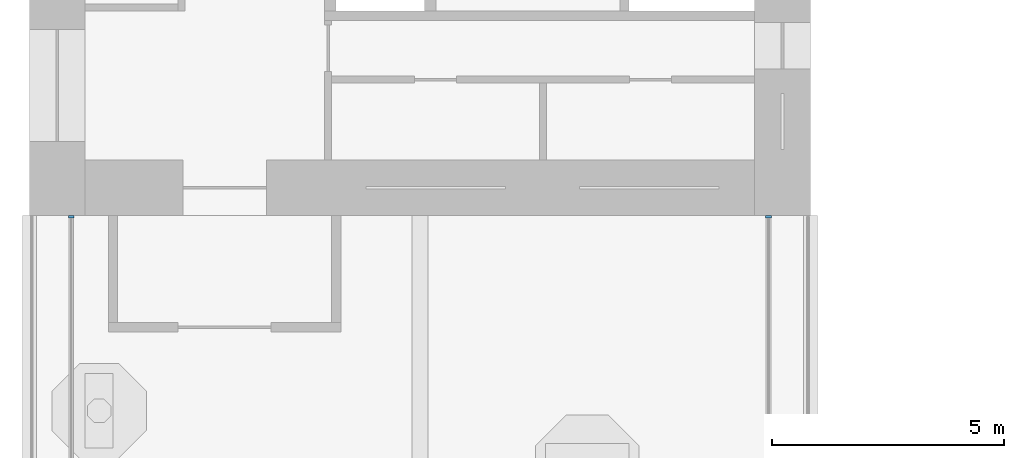
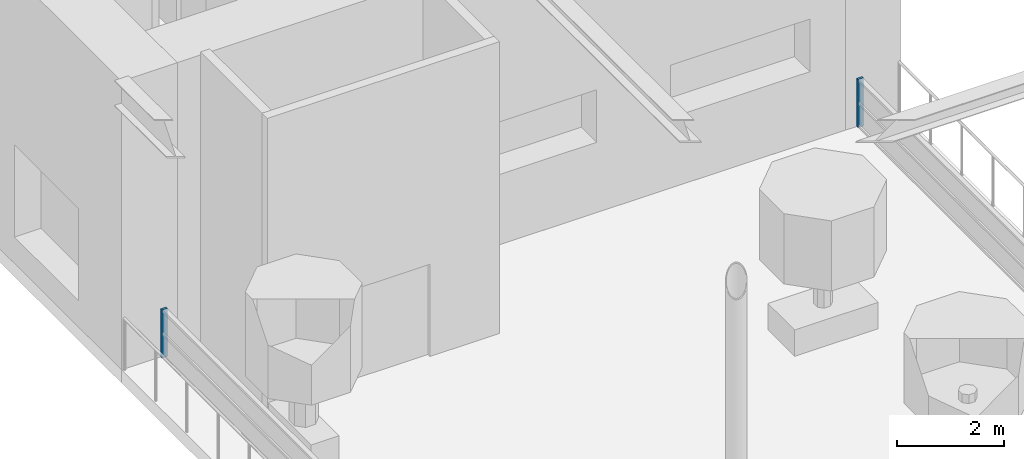
# One storey, part 6 of 15: 2 members, 2 elements without a shape of their own.
"""IFC4 building model written with IfcOpenShell, lengths in metres."""

from ifc_helpers import new_model, si_unit, direction, frame, origin, origin_2d, place, context, subcontext, project, spatial, rectangle, extrude, material, material_profile, profile_set, type_object, element, aggregate, save


model = new_model("IFC4")

# Units and contexts
model_context = context("Model", 3, precision=1e-05, world=origin(), true_north=direction((0.0, 1.0)))
body_context = subcontext(model_context, "Body", "Model", "MODEL_VIEW")
ifc_project = project(units=[si_unit("LENGTHUNIT", "METRE"), si_unit("AREAUNIT", "SQUARE_METRE"), si_unit("VOLUMEUNIT", "CUBIC_METRE"), si_unit("PLANEANGLEUNIT", "RADIAN"), si_unit("MASSUNIT", "GRAM", prefix="KILO")], contexts=[model_context])

# Site, building, storey
site_placement = place(None, origin())
site = spatial("IfcSite", under=ifc_project, at=site_placement, CompositionType="ELEMENT")
building_placement = place(site_placement, origin())
building = spatial("IfcBuilding", under=site, at=building_placement, Name="Vermilion Gate Residences", CompositionType="ELEMENT")
storey_placement = place(building_placement, frame((0.0, 0.0, 277.199951171875)))
storey = spatial("IfcBuildingStorey", under=building, at=storey_placement, Name="L73", CompositionType="ELEMENT", Elevation=277.199951171875)

# Curtain wall, member
ifc_material_1 = material(Name="Aluminium and glass", Category="aluminium")
curtain_wall_type = type_object("IfcCurtainWallType", Name="CROWN LOOKOUT GLASS CURTAIN WALL", PredefinedType="NOTDEFINED", material=ifc_material_1)
curtain_wall_1_placement = place(storey_placement, origin())
curtain_wall_1 = element("IfcCurtainWall", 1, at=curtain_wall_1_placement, inside=storey, type_object=curtain_wall_type, Name="Crown Lookout Glass 5", PredefinedType="NOTDEFINED")
ifc_material_2 = material(Name="Aluminium", Category="aluminium")
ifc_material_profile = material_profile(ifc_material_2, rectangle(XDim=0.1201171875, YDim=0.050048828125, at=origin_2d()), Name="MULLION 50 X 120")
ifc_profile_set = profile_set([ifc_material_profile], Name="Aluminium")
member_type = type_object("IfcMemberType", Name="CROWN LOOKOUT GLASS MULLION 50 X 120", PredefinedType="MULLION", material=ifc_profile_set)
member_1_placement = place(storey_placement, frame((24.300048828125, 41.97509765625, 0.0), z_axis=(0.0, 0.0, 1.0), x_axis=(-1.0, 0.0, 0.0)))
member_1 = element("IfcMember", 2, at=member_1_placement, type_object=member_type, Name="ECW4 mullion 2", PredefinedType="MULLION", context=body_context, shape_type="SweptSolid", body=[
    extrude(rectangle(XDim=0.1201171875, YDim=0.050048828125, at=origin_2d()), origin(), (0.0, 0.0, 1.0), 1.10009765625),
])
aggregate(curtain_wall_1, [member_1])

curtain_wall_2_placement = place(storey_placement, origin())
curtain_wall_2 = element("IfcCurtainWall", 3, at=curtain_wall_2_placement, inside=storey, type_object=curtain_wall_type, Name="Crown Lookout Glass 6", PredefinedType="NOTDEFINED")
member_2_placement = place(storey_placement, frame((9.300048828125, 41.97509765625, 0.0), z_axis=(0.0, 0.0, 1.0), x_axis=(1.0, 0.0, 0.0)))
member_2 = element("IfcMember", 4, at=member_2_placement, type_object=member_type, Name="ECW4 mullion 1", PredefinedType="MULLION", context=body_context, shape_type="SweptSolid", body=[
    extrude(rectangle(XDim=0.1201171875, YDim=0.050048828125, at=origin_2d()), origin(), (0.0, 0.0, 1.0), 1.10009765625),
])
aggregate(curtain_wall_2, [member_2])

save(model, "model.ifc")
